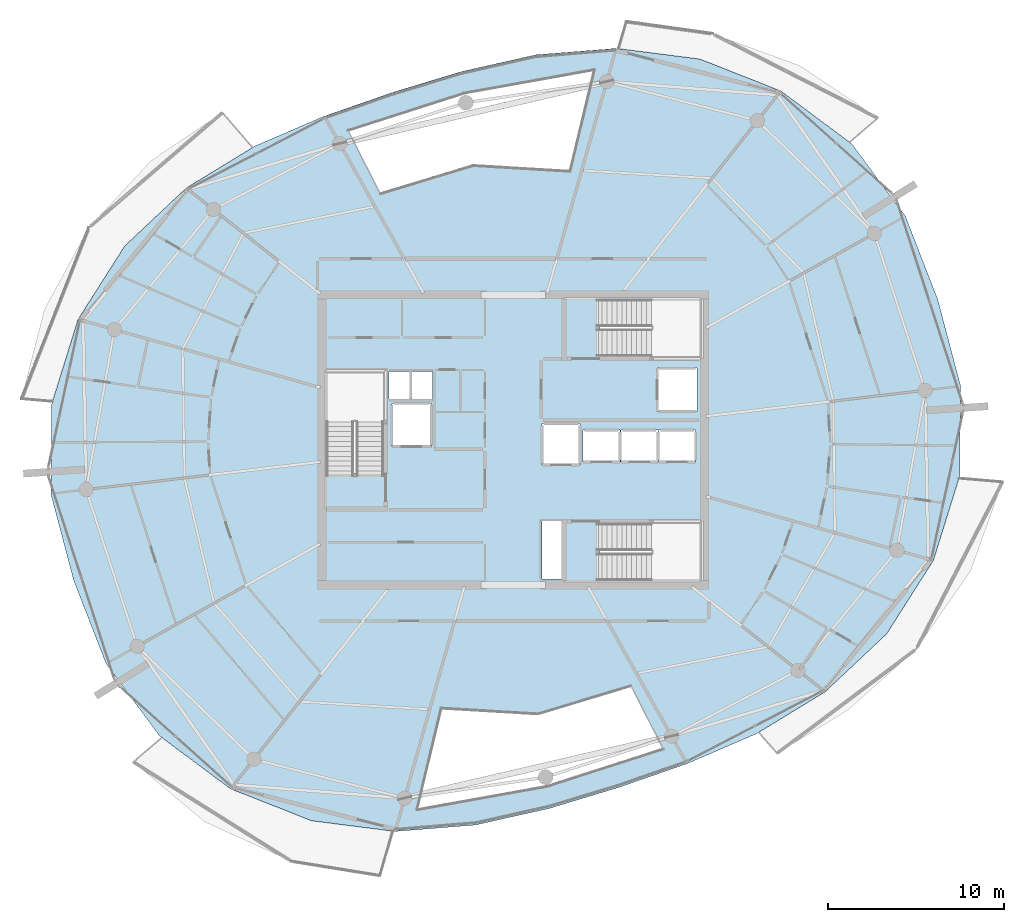
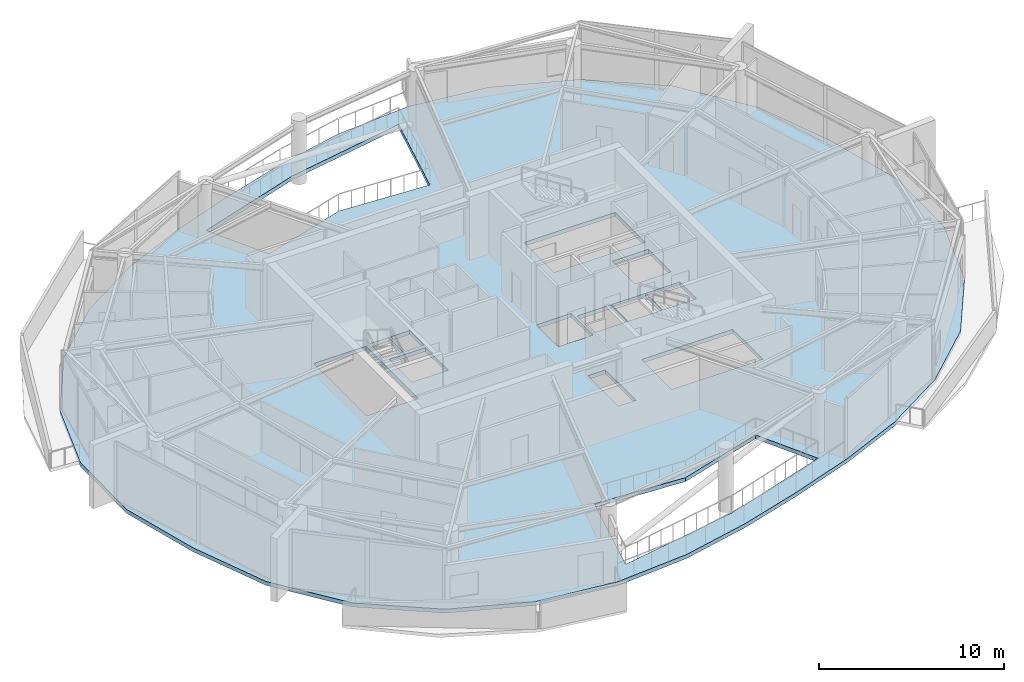
# One storey, part 10 of 22: 1 slab.
"""IFC4 building model written with IfcOpenShell, lengths in metres."""

from ifc_helpers import new_model, si_unit, direction, frame, origin, place, context, subcontext, project, spatial, polyline, outline, extrude, material, layer, layer_set, type_object, element, save


model = new_model("IFC4")

# Units and contexts
model_context = context("Model", 3, precision=1e-05, world=origin(), true_north=direction((0.0, 1.0)))
body_context = subcontext(model_context, "Body", "Model", "MODEL_VIEW")
ifc_project = project(units=[si_unit("LENGTHUNIT", "METRE"), si_unit("AREAUNIT", "SQUARE_METRE"), si_unit("VOLUMEUNIT", "CUBIC_METRE"), si_unit("PLANEANGLEUNIT", "RADIAN"), si_unit("MASSUNIT", "GRAM", prefix="KILO")], contexts=[model_context])

# Site, building, storey
site_placement = place(None, origin())
site = spatial("IfcSite", under=ifc_project, at=site_placement, CompositionType="ELEMENT")
building_placement = place(site_placement, origin())
building = spatial("IfcBuilding", under=site, at=building_placement, Name="Kazma Halo Residences", CompositionType="ELEMENT")
storey_placement = place(building_placement, frame((0.0, 0.0, 334.699951171875)))
storey = spatial("IfcBuildingStorey", under=building, at=storey_placement, Name="L84", CompositionType="ELEMENT", Elevation=334.699951171875)

# Slab
ifc_material = material(Name="Concrete C50/60", Category="concrete")
ifc_layer = layer(ifc_material, 0.260009765625)
ifc_layer_set = layer_set([ifc_layer], Name="Concrete C50/60")
slab_type = type_object("IfcSlabType", Name="SLB-RES-260", PredefinedType="FLOOR", material=ifc_layer_set)
slab_placement = place(storey_placement, frame((0.0, 0.0, -0.260009765625)))
element("IfcSlab", 1, at=slab_placement, inside=storey, type_object=slab_type, Name="L84 structural floor slab", PredefinedType="FLOOR", context=body_context, shape_type="SweptSolid", body=[
    extrude(outline(polyline([(72.573486328125, 49.984375), (70.730224609375, 54.7294921875), (67.697265625, 58.822998046875), (63.6455078125, 61.84619140625), (59.037841796875, 63.6630859375), (54.280517578125, 64.269287109375), (49.723876953125, 63.90478515625), (45.51904296875, 62.9609375), (41.576416015625, 61.76953125), (37.6865234375, 60.416015625), (33.72998046875, 58.7080078125), (29.829345703125, 56.32470703125), (26.3369140625, 53.037841796875), (23.677001953125, 48.85986328125), (22.17626953125, 44.032470703125), (22.12841796875, 38.93798828125), (23.426513671875, 34.015625), (25.269775390625, 29.2705078125), (28.302734375, 25.177001953125), (32.3544921875, 22.15380859375), (36.962158203125, 20.3369140625), (41.719482421875, 19.730712890625), (46.276123046875, 20.09521484375), (50.48095703125, 21.0390625), (54.423583984375, 22.23046875), (58.3134765625, 23.583984375), (62.27001953125, 25.2919921875), (66.170654296875, 27.67529296875), (69.6630859375, 30.962158203125), (72.322998046875, 35.14013671875), (73.82373046875, 39.967529296875), (73.87158203125, 45.06201171875), (72.573486328125, 49.984375)]), holes=[polyline([(37.800048828125, 40.110107421875), (41.050048828125, 40.110107421875), (41.050048828125, 45.800048828125), (37.800048828125, 45.800048828125), (37.800048828125, 40.110107421875)]), polyline([(53.360107421875, 46.75), (59.050048828125, 46.75), (59.050048828125, 50.0), (53.360107421875, 50.0), (53.360107421875, 46.75)]), polyline([(53.360107421875, 34.0), (59.050048828125, 34.0), (59.050048828125, 37.25), (53.360107421875, 37.25), (53.360107421875, 34.0)]), polyline([(41.52001953125, 41.6201171875), (43.780029296875, 41.6201171875), (43.780029296875, 44.080078125), (41.52001953125, 44.080078125), (41.52001953125, 41.6201171875)]), polyline([(56.6201171875, 43.6201171875), (58.8798828125, 43.6201171875), (58.8798828125, 46.080078125), (56.6201171875, 46.080078125), (56.6201171875, 43.6201171875)]), polyline([(52.39501953125, 40.7451171875), (54.5048828125, 40.7451171875), (54.5048828125, 42.554931640625), (52.39501953125, 42.554931640625), (52.39501953125, 40.7451171875)]), polyline([(54.544921875, 40.7451171875), (56.655029296875, 40.7451171875), (56.655029296875, 42.554931640625), (54.544921875, 42.554931640625), (54.544921875, 40.7451171875)]), polyline([(56.695068359375, 40.7451171875), (58.804931640625, 40.7451171875), (58.804931640625, 42.554931640625), (56.695068359375, 42.554931640625), (56.695068359375, 40.7451171875)]), polyline([(50.070068359375, 40.570068359375), (52.22998046875, 40.570068359375), (52.22998046875, 42.929931640625), (50.070068359375, 42.929931640625), (50.070068359375, 40.570068359375)]), polyline([(41.360107421875, 44.340087890625), (42.5400390625, 44.340087890625), (42.5400390625, 45.89990234375), (41.360107421875, 45.89990234375), (41.360107421875, 44.340087890625)]), polyline([(42.659912109375, 44.340087890625), (43.840087890625, 44.340087890625), (43.840087890625, 45.89990234375), (42.659912109375, 45.89990234375), (42.659912109375, 44.340087890625)]), polyline([(50.06005859375, 34.080078125), (51.159912109375, 34.080078125), (51.159912109375, 37.3798828125), (50.06005859375, 37.3798828125), (50.06005859375, 34.080078125)]), polyline([(51.6650390625, 57.26611328125), (46.15478515625, 57.59130859375), (40.872314453125, 55.98876953125), (39.036376953125, 59.592041015625), (45.666015625, 61.7197265625), (53.052978515625, 63.047119140625), (51.6650390625, 57.26611328125)]), polyline([(44.3349609375, 26.73388671875), (49.84521484375, 26.40869140625), (55.127685546875, 28.01123046875), (56.963623046875, 24.407958984375), (50.333984375, 22.2802734375), (42.947021484375, 20.952880859375), (44.3349609375, 26.73388671875)])]), origin(), (0.0, 0.0, 1.0), 0.260009765625),
])

save(model, "model.ifc")
